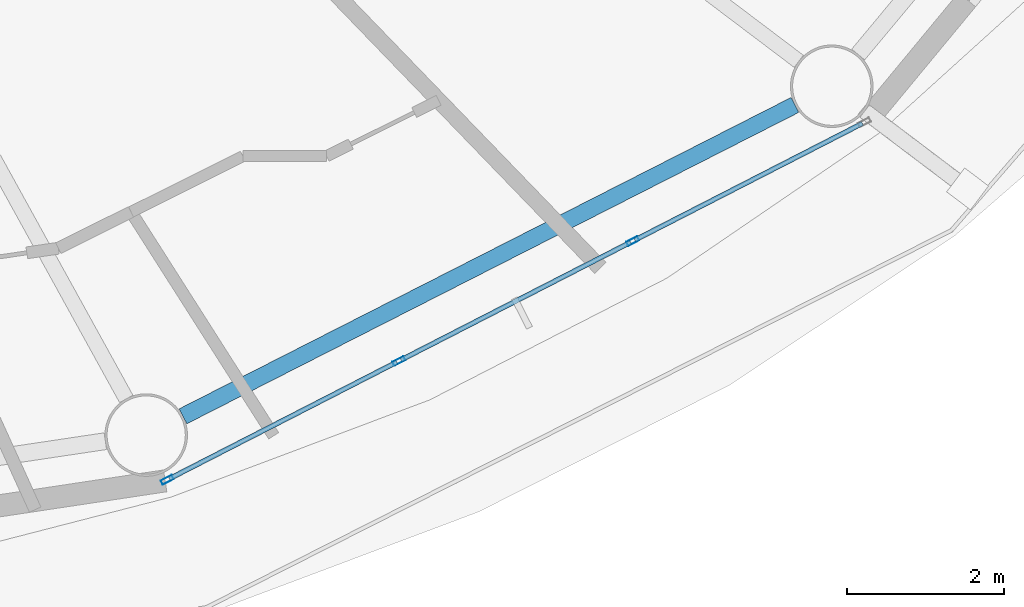
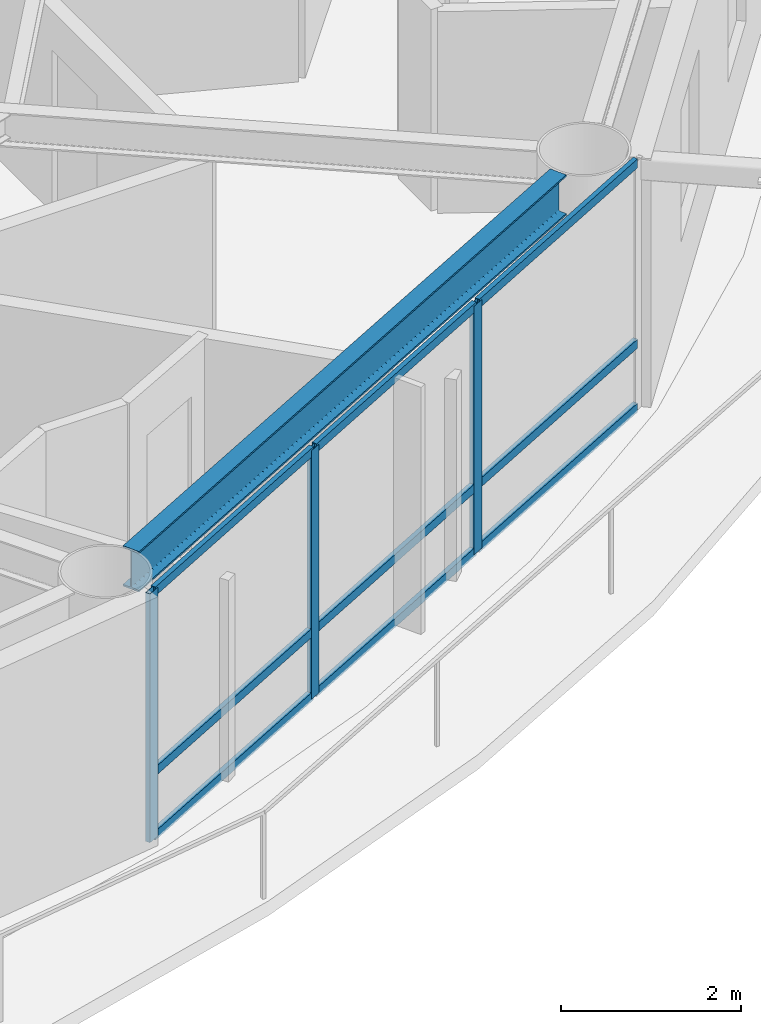
# One storey, part 5 of 27: 12 members, 1 beam, 1 element without a shape of its own.
"""IFC4 building model written with IfcOpenShell, lengths in metres."""

from ifc_helpers import new_model, si_unit, direction, frame, origin, origin_2d, place, context, subcontext, project, spatial, hollow_rectangle, i_section, extrude, material, layer, layer_set, material_profile, profile_set, type_object, element, aggregate, save


model = new_model("IFC4")

# Units and contexts
model_context = context("Model", 3, precision=1e-05, world=origin(), true_north=direction((0.0, 1.0)))
body_context = subcontext(model_context, "Body", "Model", "MODEL_VIEW")
ifc_project = project(units=[si_unit("LENGTHUNIT", "METRE"), si_unit("AREAUNIT", "SQUARE_METRE"), si_unit("VOLUMEUNIT", "CUBIC_METRE"), si_unit("PLANEANGLEUNIT", "RADIAN"), si_unit("MASSUNIT", "GRAM", prefix="KILO")], contexts=[model_context])

# Site, building, storey
site_placement = place(None, origin())
site = spatial("IfcSite", under=ifc_project, at=site_placement, CompositionType="ELEMENT")
building_placement = place(site_placement, origin())
building = spatial("IfcBuilding", under=site, at=building_placement, Name="Sarneth Arch Tower", CompositionType="ELEMENT")
storey_placement = place(building_placement, frame((0.0, 0.0, 157.800048828125)))
storey = spatial("IfcBuildingStorey", under=building, at=storey_placement, Name="L39", CompositionType="ELEMENT", Elevation=157.800048828125)

# Beam
ifc_material_1 = material(Name="Steel S355", Category="steel")
ifc_material_profile_1 = material_profile(ifc_material_1, i_section(OverallWidth=0.214111328125, OverallDepth=0.549072265625, WebThickness=0.0146484375, FlangeThickness=0.023681640625, FilletRadius=0.01806640625, at=origin_2d()), Name="W530x138")
ifc_profile_set_1 = profile_set([ifc_material_profile_1], Name="Steel S355")
beam_type = type_object("IfcBeamType", Name="BM-RAD-530A", PredefinedType="BEAM", material=ifc_profile_set_1)
beam_placement = place(storey_placement, frame((58.8896484375, 23.3447265625, 3.10546875), z_axis=(0.891254220899, 0.453504039374, 0.0), x_axis=(-0.453504039374, 0.891254220899, 0.0)))
element("IfcBeam", 1, at=beam_placement, inside=storey, type_object=beam_type, Name="L39 Perimeter spandrel beam 14", PredefinedType="BEAM", context=body_context, shape_type="SweptSolid", body=[
    extrude(i_section(OverallWidth=0.214111328125, OverallDepth=0.549072265625, WebThickness=0.0146484375, FlangeThickness=0.023681640625, FilletRadius=0.01806640625, at=origin_2d()), origin(), (0.0, 0.0, 1.0), 8.724853515625),
])

# Curtain wall, members
ifc_material_2 = material(Name="Anodised aluminium Type AA25 and solar-control low-e laminated IGU", Category="aluminium")
ifc_layer = layer(ifc_material_2, 0.169921875)
ifc_layer_set = layer_set([ifc_layer], Name="Anodised aluminium Type AA25 and solar-control low-e laminated IGU")
curtain_wall_type = type_object("IfcCurtainWallType", Name="CW-RES-MID", PredefinedType="NOTDEFINED", material=ifc_layer_set)
curtain_wall_placement = place(storey_placement, origin())
curtain_wall = element("IfcCurtainWall", 2, at=curtain_wall_placement, inside=storey, type_object=curtain_wall_type, Name="L39 Unitised curtain wall facet 14", PredefinedType="NOTDEFINED")
ifc_material_3 = material(Name="Anodised Aluminium 6063-T6", Category="aluminium")
ifc_material_profile_2 = material_profile(ifc_material_3, hollow_rectangle(XDim=0.06005859375, YDim=0.159912109375, WallThickness=0.00390625, at=origin_2d()), Name="AL-MULL-160x60x4")
ifc_profile_set_2 = profile_set([ifc_material_profile_2], Name="Anodised Aluminium 6063-T6")
member_type_1 = type_object("IfcMemberType", Name="CW-MULLION", PredefinedType="MULLION", material=ifc_profile_set_2)
member_1_placement = place(storey_placement, frame((58.689453125, 22.538330078125, 0.0), z_axis=(0.0, 0.0, 1.0), x_axis=(-0.456208470329, 0.88987293003, 0.0)))
member_1 = element("IfcMember", 3, at=member_1_placement, type_object=member_type_1, Name="CW-SYS-5 mullion 1", PredefinedType="MULLION", context=body_context, shape_type="SweptSolid", body=[
    extrude(hollow_rectangle(XDim=0.06005859375, YDim=0.159912109375, WallThickness=0.00390625, at=origin_2d()), origin(), (0.0, 0.0, 1.0), 3.3798828125),
])
member_2_placement = place(storey_placement, frame((61.634033203125, 24.0478515625, 0.0), z_axis=(0.0, 0.0, 1.0), x_axis=(-0.456208470329, 0.88987293003, 0.0)))
member_2 = element("IfcMember", 4, at=member_2_placement, type_object=member_type_1, Name="CW-SYS-5 mullion 2", PredefinedType="MULLION", context=body_context, shape_type="SweptSolid", body=[
    extrude(hollow_rectangle(XDim=0.06005859375, YDim=0.159912109375, WallThickness=0.00390625, at=origin_2d()), origin(), (0.0, 0.0, 1.0), 3.3798828125),
])
member_3_placement = place(storey_placement, frame((64.60498046875, 25.571044921875, 0.0), z_axis=(0.0, 0.0, 1.0), x_axis=(-0.456208470329, 0.88987293003, 0.0)))
member_3 = element("IfcMember", 5, at=member_3_placement, type_object=member_type_1, Name="CW-SYS-5 mullion 3", PredefinedType="MULLION", context=body_context, shape_type="SweptSolid", body=[
    extrude(hollow_rectangle(XDim=0.06005859375, YDim=0.159912109375, WallThickness=0.00390625, at=origin_2d()), origin(), (0.0, 0.0, 1.0), 3.3798828125),
])
ifc_material_4 = material(Name="Anodised Aluminium 6063-T6", Category="aluminium")
ifc_material_profile_3 = material_profile(ifc_material_4, hollow_rectangle(XDim=0.06005859375, YDim=0.1201171875, WallThickness=0.00390625, at=origin_2d()), Name="AL-TRAN-120x60x4")
ifc_profile_set_3 = profile_set([ifc_material_profile_3], Name="Anodised Aluminium 6063-T6")
member_type_2 = type_object("IfcMemberType", Name="CW-TRANSOM", PredefinedType="USERDEFINED", material=ifc_profile_set_3)
member_4_placement = place(storey_placement, frame((58.71630859375, 22.552001953125, 0.030029296875), z_axis=(0.889857362344, 0.456238835131, 0.0), x_axis=(-0.456238835131, 0.889857362344, 0.0)))
member_4 = element("IfcMember", 6, at=member_4_placement, type_object=member_type_2, Name="CW-SYS-5 transom 1.1", ObjectType="TRANSOM", PredefinedType="USERDEFINED", context=body_context, shape_type="SweptSolid", body=[
    extrude(hollow_rectangle(XDim=0.06005859375, YDim=0.1201171875, WallThickness=0.00390625, at=origin_2d()), origin(), (0.0, 0.0, 1.0), 3.248779296875),
])
member_5_placement = place(storey_placement, frame((58.71630859375, 22.552001953125, 0.89990234375), z_axis=(0.889857362344, 0.456238835131, 0.0), x_axis=(-0.456238835131, 0.889857362344, 0.0)))
member_5 = element("IfcMember", 7, at=member_5_placement, type_object=member_type_2, Name="CW-SYS-5 transom 1.2", ObjectType="TRANSOM", PredefinedType="USERDEFINED", context=body_context, shape_type="SweptSolid", body=[
    extrude(hollow_rectangle(XDim=0.06005859375, YDim=0.1201171875, WallThickness=0.00390625, at=origin_2d()), origin(), (0.0, 0.0, 1.0), 3.248779296875),
])
member_6_placement = place(storey_placement, frame((58.71630859375, 22.552001953125, 3.349853515625), z_axis=(0.889857362344, 0.456238835131, 0.0), x_axis=(-0.456238835131, 0.889857362344, 0.0)))
member_6 = element("IfcMember", 8, at=member_6_placement, type_object=member_type_2, Name="CW-SYS-5 transom 1.3", ObjectType="TRANSOM", PredefinedType="USERDEFINED", context=body_context, shape_type="SweptSolid", body=[
    extrude(hollow_rectangle(XDim=0.06005859375, YDim=0.1201171875, WallThickness=0.00390625, at=origin_2d()), origin(), (0.0, 0.0, 1.0), 3.248779296875),
])
member_7_placement = place(storey_placement, frame((61.66064453125, 24.0615234375, 0.030029296875), z_axis=(0.889869396751, 0.45621536222, 0.0), x_axis=(-0.45621536222, 0.889869396751, 0.0)))
member_7 = element("IfcMember", 9, at=member_7_placement, type_object=member_type_2, Name="CW-SYS-5 transom 2.1", ObjectType="TRANSOM", PredefinedType="USERDEFINED", context=body_context, shape_type="SweptSolid", body=[
    extrude(hollow_rectangle(XDim=0.06005859375, YDim=0.1201171875, WallThickness=0.00390625, at=origin_2d()), origin(), (0.0, 0.0, 1.0), 3.27880859375),
])
member_8_placement = place(storey_placement, frame((61.66064453125, 24.0615234375, 0.89990234375), z_axis=(0.889869396751, 0.45621536222, 0.0), x_axis=(-0.45621536222, 0.889869396751, 0.0)))
member_8 = element("IfcMember", 10, at=member_8_placement, type_object=member_type_2, Name="CW-SYS-5 transom 2.2", ObjectType="TRANSOM", PredefinedType="USERDEFINED", context=body_context, shape_type="SweptSolid", body=[
    extrude(hollow_rectangle(XDim=0.06005859375, YDim=0.1201171875, WallThickness=0.00390625, at=origin_2d()), origin(), (0.0, 0.0, 1.0), 3.27880859375),
])
member_9_placement = place(storey_placement, frame((61.66064453125, 24.0615234375, 3.349853515625), z_axis=(0.889869396751, 0.45621536222, 0.0), x_axis=(-0.45621536222, 0.889869396751, 0.0)))
member_9 = element("IfcMember", 11, at=member_9_placement, type_object=member_type_2, Name="CW-SYS-5 transom 2.3", ObjectType="TRANSOM", PredefinedType="USERDEFINED", context=body_context, shape_type="SweptSolid", body=[
    extrude(hollow_rectangle(XDim=0.06005859375, YDim=0.1201171875, WallThickness=0.00390625, at=origin_2d()), origin(), (0.0, 0.0, 1.0), 3.27880859375),
])
member_10_placement = place(storey_placement, frame((64.6318359375, 25.584716796875, 0.030029296875), z_axis=(0.889857362344, 0.456238835131, 0.0), x_axis=(-0.456238835131, 0.889857362344, 0.0)))
member_10 = element("IfcMember", 12, at=member_10_placement, type_object=member_type_2, Name="CW-SYS-5 transom 3.1", ObjectType="TRANSOM", PredefinedType="USERDEFINED", context=body_context, shape_type="SweptSolid", body=[
    extrude(hollow_rectangle(XDim=0.06005859375, YDim=0.1201171875, WallThickness=0.00390625, at=origin_2d()), origin(), (0.0, 0.0, 1.0), 3.248779296875),
])
member_11_placement = place(storey_placement, frame((64.6318359375, 25.584716796875, 0.89990234375), z_axis=(0.889857362344, 0.456238835131, 0.0), x_axis=(-0.456238835131, 0.889857362344, 0.0)))
member_11 = element("IfcMember", 13, at=member_11_placement, type_object=member_type_2, Name="CW-SYS-5 transom 3.2", ObjectType="TRANSOM", PredefinedType="USERDEFINED", context=body_context, shape_type="SweptSolid", body=[
    extrude(hollow_rectangle(XDim=0.06005859375, YDim=0.1201171875, WallThickness=0.00390625, at=origin_2d()), origin(), (0.0, 0.0, 1.0), 3.248779296875),
])
member_12_placement = place(storey_placement, frame((64.6318359375, 25.584716796875, 3.349853515625), z_axis=(0.889857362344, 0.456238835131, 0.0), x_axis=(-0.456238835131, 0.889857362344, 0.0)))
member_12 = element("IfcMember", 14, at=member_12_placement, type_object=member_type_2, Name="CW-SYS-5 transom 3.3", ObjectType="TRANSOM", PredefinedType="USERDEFINED", context=body_context, shape_type="SweptSolid", body=[
    extrude(hollow_rectangle(XDim=0.06005859375, YDim=0.1201171875, WallThickness=0.00390625, at=origin_2d()), origin(), (0.0, 0.0, 1.0), 3.248779296875),
])
aggregate(curtain_wall, [member_1, member_2, member_3, member_4, member_5, member_6, member_7, member_8, member_9, member_10, member_11, member_12])

save(model, "model.ifc")
